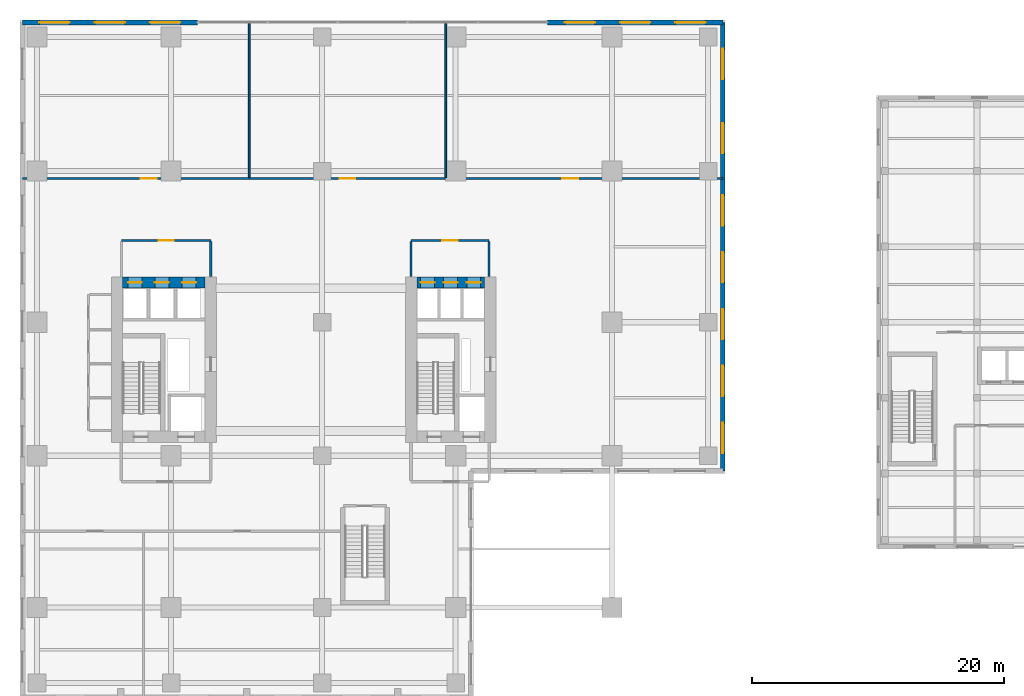
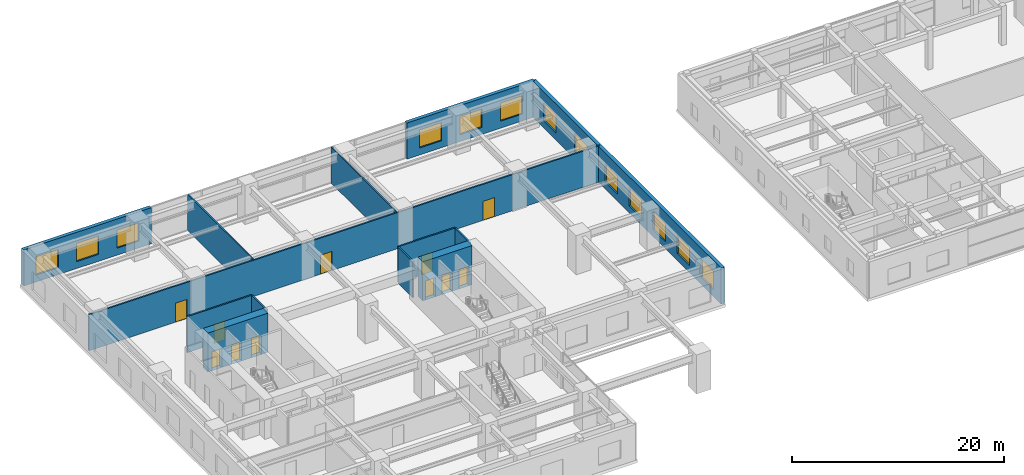
# One storey, part 21 of 26: 13 walls, 13 windows, 11 doors, 24 openings.
"""IFC4 building model written with IfcOpenShell, lengths in metres."""

from ifc_helpers import new_model, si_unit, direction, frame, frame_2d, origin, place, context, subcontext, project, spatial, rectangle, extrude, source, transform, mapped, material, layer, layer_set, type_object, element, fill, save


model = new_model("IFC4")

# Units and contexts
model_context = context("Model", 3, precision=1e-05, world=origin(), true_north=direction((0.0, 1.0)))
body_context = subcontext(model_context, "Body", "Model", "MODEL_VIEW")
ifc_project = project(units=[si_unit("LENGTHUNIT", "METRE"), si_unit("AREAUNIT", "SQUARE_METRE"), si_unit("VOLUMEUNIT", "CUBIC_METRE"), si_unit("PLANEANGLEUNIT", "RADIAN"), si_unit("MASSUNIT", "GRAM", prefix="KILO")], contexts=[model_context])

# Site, building, storey
site_placement = place(None, origin())
site = spatial("IfcSite", under=ifc_project, at=site_placement, CompositionType="ELEMENT")
building_placement = place(site_placement, origin())
building = spatial("IfcBuilding", under=site, at=building_placement, Name="Khoralis Quay Care Tower", CompositionType="ELEMENT")
storey_placement = place(building_placement, frame((0.0, 0.0, 13.5)))
storey = spatial("IfcBuildingStorey", under=building, at=storey_placement, Name="L03", CompositionType="ELEMENT", Elevation=13.5)

# Wall, openings, doors
ifc_material_1 = material(Name="Concrete C80/95", Category="concrete")
ifc_layer_1 = layer(ifc_material_1, 0.89990234375)
ifc_layer_set_1 = layer_set([ifc_layer_1], Name="Concrete C80/95")
wall_type_1 = type_object("IfcWallType", Name="WL-CORE-900", PredefinedType="SHEAR", material=ifc_layer_set_1)
wall_1_placement = place(storey_placement, frame((8.14990234375, 27.14990234375, 0.0), z_axis=(0.0, 0.0, 1.0), x_axis=(1.0, 0.0, 0.0)))
wall_1 = element("IfcWall", 1, at=wall_1_placement, inside=storey, type_object=wall_type_1, Name="L03 WCORE North Shear Wall", PredefinedType="SHEAR", context=body_context, shape_type="SweptSolid", body=[
    extrude(rectangle(XDim=6.550048828125, YDim=0.89990234375, at=frame_2d((3.27490234375, 0.0))), origin(), (0.0, 0.0, 1.0), 4.5),
])
opening_1_placement = place(wall_1_placement, frame((0.429931640625, 0.0, 0.0)))
opening_1 = element("IfcOpeningElement", 2, at=opening_1_placement, cuts=wall_1, Name="Opening LD1", PredefinedType="OPENING", context=body_context, shape_type="SweptSolid", body=[
    extrude(rectangle(XDim=1.10009765625, YDim=2.199951171875, at=frame_2d((0.550048828125, 1.10009765625))), frame((0.0, 0.4599609375, 0.0), z_axis=(0.0, -1.0, 0.0), x_axis=(1.0, 0.0, 0.0)), (0.0, 0.0, 1.0), 0.919921875),
])
opening_2_placement = place(wall_1_placement, frame((2.570068359375, 0.0, 0.0)))
opening_2 = element("IfcOpeningElement", 3, at=opening_2_placement, cuts=wall_1, Name="Opening LD1", PredefinedType="OPENING", context=body_context, shape_type="SweptSolid", body=[
    extrude(rectangle(XDim=1.10009765625, YDim=2.199951171875, at=frame_2d((0.550048828125, 1.10009765625))), frame((0.0, 0.4599609375, 0.0), z_axis=(0.0, -1.0, 0.0), x_axis=(1.0, 0.0, 0.0)), (0.0, 0.0, 1.0), 0.919921875),
])
opening_3_placement = place(wall_1_placement, frame((4.72998046875, 0.0, 0.0)))
opening_3 = element("IfcOpeningElement", 4, at=opening_3_placement, cuts=wall_1, Name="Opening LD1", PredefinedType="OPENING", context=body_context, shape_type="SweptSolid", body=[
    extrude(rectangle(XDim=1.10009765625, YDim=2.199951171875, at=frame_2d((0.550048828125, 1.10009765625))), frame((0.0, 0.4599609375, 0.0), z_axis=(0.0, -1.0, 0.0), x_axis=(1.0, 0.0, 0.0)), (0.0, 0.0, 1.0), 0.919921875),
])
ifc_material_2 = material(Name="Brushed stainless steel", Category="steel")
door_type_1 = type_object("IfcDoorType", Name="DR-LIFT-1100X2200", OperationType="SLIDING_TO_LEFT", PredefinedType="DOOR", material=ifc_material_2)
shared_shape_1 = source(origin(), body_context, "Body", "SweptSolid", [
    extrude(rectangle(XDim=1.10009765625, YDim=2.199951171875, at=frame_2d((0.550048828125, 1.10009765625))), frame((0.0, 0.02490234375, 0.0), z_axis=(0.0, -1.0, 0.0), x_axis=(1.0, 0.0, 0.0)), (0.0, 0.0, 1.0), 0.050048828125),
])
door_1_placement = place(opening_1_placement, origin())
door_1 = element("IfcDoor", 5, at=door_1_placement, inside=storey, type_object=door_type_1, Name="L03 Lift PLL1 Landing Door", OperationType="SLIDING_TO_LEFT", OverallHeight=2.199951171875, OverallWidth=1.10009765625, PredefinedType="DOOR", context=body_context, shape_type="MappedRepresentation", body=[
    mapped(shared_shape_1, transform((0.0, 0.0, 0.0), scale=1.0)),
])
fill(opening_1, door_1)
door_2_placement = place(opening_2_placement, origin())
door_2 = element("IfcDoor", 6, at=door_2_placement, inside=storey, type_object=door_type_1, Name="L03 Lift PLM1 Landing Door", OperationType="SLIDING_TO_LEFT", OverallHeight=2.199951171875, OverallWidth=1.10009765625, PredefinedType="DOOR", context=body_context, shape_type="MappedRepresentation", body=[
    mapped(shared_shape_1, transform((0.0, 0.0, 0.0), scale=1.0)),
])
fill(opening_2, door_2)
door_3_placement = place(opening_3_placement, origin())
door_3 = element("IfcDoor", 7, at=door_3_placement, inside=storey, type_object=door_type_1, Name="L03 Lift PLH1 Landing Door", OperationType="SLIDING_TO_LEFT", OverallHeight=2.199951171875, OverallWidth=1.10009765625, PredefinedType="DOOR", context=body_context, shape_type="MappedRepresentation", body=[
    mapped(shared_shape_1, transform((0.0, 0.0, 0.0), scale=1.0)),
])
fill(opening_3, door_3)

wall_2_placement = place(storey_placement, frame((31.52001953125, 27.14990234375, 0.0), z_axis=(0.0, 0.0, 1.0), x_axis=(1.0, 0.0, 0.0)))
wall_2 = element("IfcWall", 8, at=wall_2_placement, inside=storey, type_object=wall_type_1, Name="L03 ECORE North Shear Wall", PredefinedType="SHEAR", context=body_context, shape_type="SweptSolid", body=[
    extrude(rectangle(XDim=5.3798828125, YDim=0.89990234375, at=frame_2d((2.68994140625, 0.0))), origin(), (0.0, 0.0, 1.0), 4.5),
])
opening_4_placement = place(wall_2_placement, frame((0.300048828125, 0.0, 0.0)))
opening_4 = element("IfcOpeningElement", 9, at=opening_4_placement, cuts=wall_2, Name="Opening LD1", PredefinedType="OPENING", context=body_context, shape_type="SweptSolid", body=[
    extrude(rectangle(XDim=1.10009765625, YDim=2.199951171875, at=frame_2d((0.550048828125, 1.10009765625))), frame((0.0, 0.4599609375, 0.0), z_axis=(0.0, -1.0, 0.0), x_axis=(1.0, 0.0, 0.0)), (0.0, 0.0, 1.0), 0.919921875),
])
opening_5_placement = place(wall_2_placement, frame((2.1298828125, 0.0, 0.0)))
opening_5 = element("IfcOpeningElement", 10, at=opening_5_placement, cuts=wall_2, Name="Opening LD1", PredefinedType="OPENING", context=body_context, shape_type="SweptSolid", body=[
    extrude(rectangle(XDim=1.10009765625, YDim=2.199951171875, at=frame_2d((0.550048828125, 1.10009765625))), frame((0.0, 0.4599609375, 0.0), z_axis=(0.0, -1.0, 0.0), x_axis=(1.0, 0.0, 0.0)), (0.0, 0.0, 1.0), 0.919921875),
])
opening_6_placement = place(wall_2_placement, frame((3.9599609375, 0.0, 0.0)))
opening_6 = element("IfcOpeningElement", 11, at=opening_6_placement, cuts=wall_2, Name="Opening LD1", PredefinedType="OPENING", context=body_context, shape_type="SweptSolid", body=[
    extrude(rectangle(XDim=1.10009765625, YDim=2.199951171875, at=frame_2d((0.550048828125, 1.10009765625))), frame((0.0, 0.4599609375, 0.0), z_axis=(0.0, -1.0, 0.0), x_axis=(1.0, 0.0, 0.0)), (0.0, 0.0, 1.0), 0.919921875),
])
door_4_placement = place(opening_4_placement, origin())
door_4 = element("IfcDoor", 12, at=door_4_placement, inside=storey, type_object=door_type_1, Name="L03 Lift PLL2 Landing Door", OperationType="SLIDING_TO_LEFT", OverallHeight=2.199951171875, OverallWidth=1.10009765625, PredefinedType="DOOR", context=body_context, shape_type="MappedRepresentation", body=[
    mapped(shared_shape_1, transform((0.0, 0.0, 0.0), scale=1.0)),
])
fill(opening_4, door_4)
door_5_placement = place(opening_5_placement, origin())
door_5 = element("IfcDoor", 13, at=door_5_placement, inside=storey, type_object=door_type_1, Name="L03 Lift PLM2 Landing Door", OperationType="SLIDING_TO_LEFT", OverallHeight=2.199951171875, OverallWidth=1.10009765625, PredefinedType="DOOR", context=body_context, shape_type="MappedRepresentation", body=[
    mapped(shared_shape_1, transform((0.0, 0.0, 0.0), scale=1.0)),
])
fill(opening_5, door_5)
door_6_placement = place(opening_6_placement, origin())
door_6 = element("IfcDoor", 14, at=door_6_placement, inside=storey, type_object=door_type_1, Name="L03 Lift PLH2 Landing Door", OperationType="SLIDING_TO_LEFT", OverallHeight=2.199951171875, OverallWidth=1.10009765625, PredefinedType="DOOR", context=body_context, shape_type="MappedRepresentation", body=[
    mapped(shared_shape_1, transform((0.0, 0.0, 0.0), scale=1.0)),
])
fill(opening_6, door_6)

# Wall, opening, door
ifc_material_3 = material(Name="Gypsum plasterboard on acoustic metal stud")
ifc_layer_2 = layer(ifc_material_3, 0.1650390625)
ifc_layer_set_2 = layer_set([ifc_layer_2], Name="Gypsum plasterboard on acoustic metal stud")
wall_type_2 = type_object("IfcWallType", Name="WL-CORR-165", PredefinedType="PARTITIONING", material=ifc_layer_set_2)
wall_3_placement = place(storey_placement, frame((8.050048828125, 30.5, 0.0), z_axis=(0.0, 0.0, 1.0), x_axis=(1.0, 0.0, 0.0)))
wall_3 = element("IfcWall", 15, at=wall_3_placement, inside=storey, type_object=wall_type_2, Name="L03 West Lift Lobby North Wall", PredefinedType="PARTITIONING", context=body_context, shape_type="SweptSolid", body=[
    extrude(rectangle(XDim=7.099853515625, YDim=0.1650390625, at=frame_2d((3.5498046875, 0.0))), origin(), (0.0, 0.0, 1.0), 4.159912109375),
])
opening_7_placement = place(wall_3_placement, frame((2.949951171875, 0.0, 0.0)))
opening_7 = element("IfcOpeningElement", 16, at=opening_7_placement, cuts=wall_3, Name="Opening FD1", PredefinedType="OPENING", context=body_context, shape_type="SweptSolid", body=[
    extrude(rectangle(XDim=1.199951171875, YDim=2.199951171875, at=frame_2d((0.60009765625, 1.10009765625))), frame((0.0, 0.092529296875, 0.0), z_axis=(0.0, -1.0, 0.0), x_axis=(1.0, 0.0, 0.0)), (0.0, 0.0, 1.0), 0.18505859375),
])
ifc_material_4 = material(Name="Fire-rated painted steel", Category="steel")
door_type_2 = type_object("IfcDoorType", Name="DR-FFL-1200X2200", OperationType="NOTDEFINED", PredefinedType="DOOR", material=ifc_material_4)
shared_shape_2 = source(origin(), body_context, "Body", "SweptSolid", [
    extrude(rectangle(XDim=1.199951171875, YDim=2.199951171875, at=frame_2d((0.60009765625, 1.10009765625))), frame((0.0, 0.02490234375, 0.0), z_axis=(0.0, -1.0, 0.0), x_axis=(1.0, 0.0, 0.0)), (0.0, 0.0, 1.0), 0.050048828125),
])
door_7_placement = place(opening_7_placement, origin())
door_7 = element("IfcDoor", 17, at=door_7_placement, inside=storey, type_object=door_type_2, Name="L03 West Lift Lobby Double Door", OperationType="DOUBLE_DOOR_SINGLE_SWING", OverallHeight=2.199951171875, OverallWidth=1.199951171875, PredefinedType="DOOR", context=body_context, shape_type="MappedRepresentation", body=[
    mapped(shared_shape_2, transform((0.0, 0.0, 0.0), scale=1.0)),
])
fill(opening_7, door_7)

# Wall
wall_4_placement = place(storey_placement, frame((15.14990234375, 27.6201171875, 0.0), z_axis=(0.0, 0.0, 1.0), x_axis=(0.0, 1.0, 0.0)))
element("IfcWall", 18, at=wall_4_placement, inside=storey, type_object=wall_type_2, Name="L03 West Lift Lobby East Wall", PredefinedType="PARTITIONING", context=body_context, shape_type="SweptSolid", body=[
    extrude(rectangle(XDim=2.802490234375, YDim=0.1650390625, at=frame_2d((1.4013671875, 0.0))), origin(), (0.0, 0.0, 1.0), 4.159912109375),
])

# Wall, opening, door
wall_5_placement = place(storey_placement, frame((31.050048828125, 30.5, 0.0), z_axis=(0.0, 0.0, 1.0), x_axis=(1.0, 0.0, 0.0)))
wall_5 = element("IfcWall", 19, at=wall_5_placement, inside=storey, type_object=wall_type_2, Name="L03 East Lift Lobby North Wall", PredefinedType="PARTITIONING", context=body_context, shape_type="SweptSolid", body=[
    extrude(rectangle(XDim=6.199951171875, YDim=0.1650390625, at=frame_2d((3.10009765625, 0.0))), origin(), (0.0, 0.0, 1.0), 4.159912109375),
])
opening_8_placement = place(wall_5_placement, frame((2.5, 0.0, 0.0)))
opening_8 = element("IfcOpeningElement", 20, at=opening_8_placement, cuts=wall_5, Name="Opening FD1", PredefinedType="OPENING", context=body_context, shape_type="SweptSolid", body=[
    extrude(rectangle(XDim=1.199951171875, YDim=2.199951171875, at=frame_2d((0.60009765625, 1.10009765625))), frame((0.0, 0.092529296875, 0.0), z_axis=(0.0, -1.0, 0.0), x_axis=(1.0, 0.0, 0.0)), (0.0, 0.0, 1.0), 0.18505859375),
])
door_8_placement = place(opening_8_placement, origin())
door_8 = element("IfcDoor", 21, at=door_8_placement, inside=storey, type_object=door_type_2, Name="L03 East Lift Lobby Double Door", OperationType="DOUBLE_DOOR_SINGLE_SWING", OverallHeight=2.199951171875, OverallWidth=1.199951171875, PredefinedType="DOOR", context=body_context, shape_type="MappedRepresentation", body=[
    mapped(shared_shape_2, transform((0.0, 0.0, 0.0), scale=1.0)),
])
fill(opening_8, door_8)

# Walls
for number, where, z_axis, x_axis, name in (
    (22, (31.050048828125, 27.6201171875, 0.0), (0.0, 0.0, 1.0), (0.0, 1.0, 0.0), "L03 East Lift Lobby West Wall"),
    (23, (37.25, 27.6201171875, 0.0), (0.0, 0.0, 1.0), (0.0, 1.0, 0.0), "L03 East Lift Lobby East Wall"),
):
    element("IfcWall", number, at=place(storey_placement, frame(where, z_axis=z_axis, x_axis=x_axis)), inside=storey, type_object=wall_type_2, Name=name, PredefinedType="PARTITIONING", context=body_context, shape_type="SweptSolid", body=[
        extrude(rectangle(XDim=2.802490234375, YDim=0.1650390625, at=frame_2d((1.4013671875, 0.0))), origin(), (0.0, 0.0, 1.0), 4.159912109375),
    ])

# Wall, openings, doors
wall_6_placement = place(storey_placement, frame((0.18505859375, 35.39990234375, 0.0), z_axis=(0.0, 0.0, 1.0), x_axis=(1.0, 0.0, 0.0)))
wall_6 = element("IfcWall", 24, at=wall_6_placement, inside=storey, type_object=wall_type_2, Name="L03 Podium North Concourse Wall", PredefinedType="PARTITIONING", context=body_context, shape_type="SweptSolid", body=[
    extrude(rectangle(XDim=55.6298828125, YDim=0.1650390625, at=frame_2d((27.81494140625, 0.0))), origin(), (0.0, 0.0, 1.0), 4.159912109375),
])
opening_9_placement = place(wall_6_placement, frame((9.4150390625, 0.0, 0.0)))
opening_9 = element("IfcOpeningElement", 25, at=opening_9_placement, cuts=wall_6, Name="Opening CD1", PredefinedType="OPENING", context=body_context, shape_type="SweptSolid", body=[
    extrude(rectangle(XDim=1.25, YDim=2.199951171875, at=frame_2d((0.625, 1.10009765625))), frame((0.0, 0.092529296875, 0.0), z_axis=(0.0, -1.0, 0.0), x_axis=(1.0, 0.0, 0.0)), (0.0, 0.0, 1.0), 0.18505859375),
])
opening_10_placement = place(wall_6_placement, frame((25.18994140625, 0.0, 0.0)))
opening_10 = element("IfcOpeningElement", 26, at=opening_10_placement, cuts=wall_6, Name="Opening CD1", PredefinedType="OPENING", context=body_context, shape_type="SweptSolid", body=[
    extrude(rectangle(XDim=1.25, YDim=2.199951171875, at=frame_2d((0.625, 1.10009765625))), frame((0.0, 0.092529296875, 0.0), z_axis=(0.0, -1.0, 0.0), x_axis=(1.0, 0.0, 0.0)), (0.0, 0.0, 1.0), 0.18505859375),
])
opening_11_placement = place(wall_6_placement, frame((42.889892578125, 0.0, 0.0)))
opening_11 = element("IfcOpeningElement", 27, at=opening_11_placement, cuts=wall_6, Name="Opening CD1", PredefinedType="OPENING", context=body_context, shape_type="SweptSolid", body=[
    extrude(rectangle(XDim=1.25, YDim=2.199951171875, at=frame_2d((0.625, 1.10009765625))), frame((0.0, 0.092529296875, 0.0), z_axis=(0.0, -1.0, 0.0), x_axis=(1.0, 0.0, 0.0)), (0.0, 0.0, 1.0), 0.18505859375),
])
ifc_material_5 = material(Name="Acoustic hardwood timber", Category="wood")
door_type_3 = type_object("IfcDoorType", Name="DR-CARE-1250X2200", OperationType="NOTDEFINED", PredefinedType="DOOR", material=ifc_material_5)
shared_shape_3 = source(origin(), body_context, "Body", "SweptSolid", [
    extrude(rectangle(XDim=1.25, YDim=2.199951171875, at=frame_2d((0.625, 1.10009765625))), frame((0.0, 0.02490234375, 0.0), z_axis=(0.0, -1.0, 0.0), x_axis=(1.0, 0.0, 0.0)), (0.0, 0.0, 1.0), 0.050048828125),
])
door_9_placement = place(opening_9_placement, origin())
door_9 = element("IfcDoor", 28, at=door_9_placement, inside=storey, type_object=door_type_3, Name="L03 Resident Banquet Dining Room Door", OperationType="DOUBLE_DOOR_SINGLE_SWING", OverallHeight=2.199951171875, OverallWidth=1.25, PredefinedType="DOOR", context=body_context, shape_type="MappedRepresentation", body=[
    mapped(shared_shape_3, transform((0.0, 0.0, 0.0), scale=1.0)),
])
fill(opening_9, door_9)
door_10_placement = place(opening_10_placement, origin())
door_10 = element("IfcDoor", 29, at=door_10_placement, inside=storey, type_object=door_type_3, Name="L03 Commercial Catering Kitchen Door", OperationType="DOUBLE_DOOR_SINGLE_SWING", OverallHeight=2.199951171875, OverallWidth=1.25, PredefinedType="DOOR", context=body_context, shape_type="MappedRepresentation", body=[
    mapped(shared_shape_3, transform((0.0, 0.0, 0.0), scale=1.0)),
])
fill(opening_10, door_10)
door_11_placement = place(opening_11_placement, origin())
door_11 = element("IfcDoor", 30, at=door_11_placement, inside=storey, type_object=door_type_3, Name="L03 Intergenerational Library Door", OperationType="DOUBLE_DOOR_SINGLE_SWING", OverallHeight=2.199951171875, OverallWidth=1.25, PredefinedType="DOOR", context=body_context, shape_type="MappedRepresentation", body=[
    mapped(shared_shape_3, transform((0.0, 0.0, 0.0), scale=1.0)),
])
fill(opening_11, door_11)

# Wall, openings, windows
ifc_material_6 = material(Name="Precast concrete C45/55", Category="concrete")
ifc_layer_3 = layer(ifc_material_6, 0.3798828125)
ifc_layer_set_3 = layer_set([ifc_layer_3], Name="Precast concrete C45/55")
wall_type_3 = type_object("IfcWallType", Name="WL-EXT-POD-380", PredefinedType="SOLIDWALL", material=ifc_layer_set_3)
wall_7_placement = place(storey_placement, frame((55.81005859375, 12.18994140625, 0.0), z_axis=(0.0, 0.0, 1.0), x_axis=(0.0, 1.0, 0.0)))
wall_7 = element("IfcWall", 31, at=wall_7_placement, inside=storey, type_object=wall_type_3, Name="L03 External Facade Wall WL-POD-L03-E3", PredefinedType="SOLIDWALL", context=body_context, shape_type="SweptSolid", body=[
    extrude(rectangle(XDim=35.6201171875, YDim=0.3798828125, at=frame_2d((17.81005859375, 0.0))), origin(), (0.0, 0.0, 1.0), 4.159912109375),
])
opening_12_placement = place(wall_7_placement, frame((1.4189453125, 0.0, 0.800048828125)))
opening_12 = element("IfcOpeningElement", 32, at=opening_12_placement, cuts=wall_7, Name="Opening W1", PredefinedType="OPENING", context=body_context, shape_type="SweptSolid", body=[
    extrude(rectangle(XDim=2.39990234375, YDim=2.10009765625, at=frame_2d((1.199951171875, 1.050048828125))), frame((0.0, 0.199951171875, 0.0), z_axis=(0.0, -1.0, 0.0), x_axis=(1.0, 0.0, 0.0)), (0.0, 0.0, 1.0), 0.39990234375),
])
opening_13_placement = place(wall_7_placement, frame((5.93701171875, 0.0, 0.800048828125)))
opening_13 = element("IfcOpeningElement", 33, at=opening_13_placement, cuts=wall_7, Name="Opening W1", PredefinedType="OPENING", context=body_context, shape_type="SweptSolid", body=[
    extrude(rectangle(XDim=2.39990234375, YDim=2.10009765625, at=frame_2d((1.199951171875, 1.050048828125))), frame((0.0, 0.199951171875, 0.0), z_axis=(0.0, -1.0, 0.0), x_axis=(1.0, 0.0, 0.0)), (0.0, 0.0, 1.0), 0.39990234375),
])
opening_14_placement = place(wall_7_placement, frame((10.455078125, 0.0, 0.800048828125)))
opening_14 = element("IfcOpeningElement", 34, at=opening_14_placement, cuts=wall_7, Name="Opening W1", PredefinedType="OPENING", context=body_context, shape_type="SweptSolid", body=[
    extrude(rectangle(XDim=2.39990234375, YDim=2.10009765625, at=frame_2d((1.199951171875, 1.050048828125))), frame((0.0, 0.199951171875, 0.0), z_axis=(0.0, -1.0, 0.0), x_axis=(1.0, 0.0, 0.0)), (0.0, 0.0, 1.0), 0.39990234375),
])
opening_15_placement = place(wall_7_placement, frame((14.972900390625, 0.0, 0.800048828125)))
opening_15 = element("IfcOpeningElement", 35, at=opening_15_placement, cuts=wall_7, Name="Opening W1", PredefinedType="OPENING", context=body_context, shape_type="SweptSolid", body=[
    extrude(rectangle(XDim=2.39990234375, YDim=2.10009765625, at=frame_2d((1.199951171875, 1.050048828125))), frame((0.0, 0.199951171875, 0.0), z_axis=(0.0, -1.0, 0.0), x_axis=(1.0, 0.0, 0.0)), (0.0, 0.0, 1.0), 0.39990234375),
])
opening_16_placement = place(wall_7_placement, frame((19.490966796875, 0.0, 0.800048828125)))
opening_16 = element("IfcOpeningElement", 36, at=opening_16_placement, cuts=wall_7, Name="Opening W1", PredefinedType="OPENING", context=body_context, shape_type="SweptSolid", body=[
    extrude(rectangle(XDim=2.39990234375, YDim=2.10009765625, at=frame_2d((1.199951171875, 1.050048828125))), frame((0.0, 0.199951171875, 0.0), z_axis=(0.0, -1.0, 0.0), x_axis=(1.0, 0.0, 0.0)), (0.0, 0.0, 1.0), 0.39990234375),
])
opening_17_placement = place(wall_7_placement, frame((25.217529296875, 0.0, 0.800048828125)))
opening_17 = element("IfcOpeningElement", 37, at=opening_17_placement, cuts=wall_7, Name="Opening W1", PredefinedType="OPENING", context=body_context, shape_type="SweptSolid", body=[
    extrude(rectangle(XDim=2.39990234375, YDim=2.10009765625, at=frame_2d((1.199951171875, 1.050048828125))), frame((0.0, 0.199951171875, 0.0), z_axis=(0.0, -1.0, 0.0), x_axis=(1.0, 0.0, 0.0)), (0.0, 0.0, 1.0), 0.39990234375),
])
opening_18_placement = place(wall_7_placement, frame((31.112548828125, 0.0, 0.800048828125)))
opening_18 = element("IfcOpeningElement", 38, at=opening_18_placement, cuts=wall_7, Name="Opening W1", PredefinedType="OPENING", context=body_context, shape_type="SweptSolid", body=[
    extrude(rectangle(XDim=2.39990234375, YDim=2.10009765625, at=frame_2d((1.199951171875, 1.050048828125))), frame((0.0, 0.199951171875, 0.0), z_axis=(0.0, -1.0, 0.0), x_axis=(1.0, 0.0, 0.0)), (0.0, 0.0, 1.0), 0.39990234375),
])
ifc_material_7 = material(Name="Low-E solar-control double glazing", Category="glass")
window_type = type_object("IfcWindowType", Name="WN-POD-2400X2100", PartitioningType="SINGLE_PANEL", PredefinedType="WINDOW", material=ifc_material_7)
shared_shape_4 = source(origin(), body_context, "Body", "SweptSolid", [
    extrude(rectangle(XDim=2.39990234375, YDim=2.10009765625, at=frame_2d((1.199951171875, 1.050048828125))), frame((0.0, 0.030029296875, 0.0), z_axis=(0.0, -1.0, 0.0), x_axis=(1.0, 0.0, 0.0)), (0.0, 0.0, 1.0), 0.06005859375),
])
window_1_placement = place(opening_12_placement, origin())
window_1 = element("IfcWindow", 39, at=window_1_placement, inside=storey, type_object=window_type, Name="WN-POD-L03-E3 Facade Window 01", OverallHeight=2.10009765625, OverallWidth=2.39990234375, PartitioningType="SINGLE_PANEL", PredefinedType="WINDOW", context=body_context, shape_type="MappedRepresentation", body=[
    mapped(shared_shape_4, transform((0.0, 0.0, 0.0), scale=1.0)),
])
fill(opening_12, window_1)
window_2_placement = place(opening_13_placement, origin())
window_2 = element("IfcWindow", 40, at=window_2_placement, inside=storey, type_object=window_type, Name="WN-POD-L03-E3 Facade Window 02", OverallHeight=2.10009765625, OverallWidth=2.39990234375, PartitioningType="SINGLE_PANEL", PredefinedType="WINDOW", context=body_context, shape_type="MappedRepresentation", body=[
    mapped(shared_shape_4, transform((0.0, 0.0, 0.0), scale=1.0)),
])
fill(opening_13, window_2)
window_3_placement = place(opening_14_placement, origin())
window_3 = element("IfcWindow", 41, at=window_3_placement, inside=storey, type_object=window_type, Name="WN-POD-L03-E3 Facade Window 03", OverallHeight=2.10009765625, OverallWidth=2.39990234375, PartitioningType="SINGLE_PANEL", PredefinedType="WINDOW", context=body_context, shape_type="MappedRepresentation", body=[
    mapped(shared_shape_4, transform((0.0, 0.0, 0.0), scale=1.0)),
])
fill(opening_14, window_3)
window_4_placement = place(opening_15_placement, origin())
window_4 = element("IfcWindow", 42, at=window_4_placement, inside=storey, type_object=window_type, Name="WN-POD-L03-E3 Facade Window 04", OverallHeight=2.10009765625, OverallWidth=2.39990234375, PartitioningType="SINGLE_PANEL", PredefinedType="WINDOW", context=body_context, shape_type="MappedRepresentation", body=[
    mapped(shared_shape_4, transform((0.0, 0.0, 0.0), scale=1.0)),
])
fill(opening_15, window_4)
window_5_placement = place(opening_16_placement, origin())
window_5 = element("IfcWindow", 43, at=window_5_placement, inside=storey, type_object=window_type, Name="WN-POD-L03-E3 Facade Window 05", OverallHeight=2.10009765625, OverallWidth=2.39990234375, PartitioningType="SINGLE_PANEL", PredefinedType="WINDOW", context=body_context, shape_type="MappedRepresentation", body=[
    mapped(shared_shape_4, transform((0.0, 0.0, 0.0), scale=1.0)),
])
fill(opening_16, window_5)
window_6_placement = place(opening_17_placement, origin())
window_6 = element("IfcWindow", 44, at=window_6_placement, inside=storey, type_object=window_type, Name="WN-POD-L03-E3 Facade Window 06", OverallHeight=2.10009765625, OverallWidth=2.39990234375, PartitioningType="SINGLE_PANEL", PredefinedType="WINDOW", context=body_context, shape_type="MappedRepresentation", body=[
    mapped(shared_shape_4, transform((0.0, 0.0, 0.0), scale=1.0)),
])
fill(opening_17, window_6)
window_7_placement = place(opening_18_placement, origin())
window_7 = element("IfcWindow", 45, at=window_7_placement, inside=storey, type_object=window_type, Name="WN-POD-L03-E3 Facade Window 07", OverallHeight=2.10009765625, OverallWidth=2.39990234375, PartitioningType="SINGLE_PANEL", PredefinedType="WINDOW", context=body_context, shape_type="MappedRepresentation", body=[
    mapped(shared_shape_4, transform((0.0, 0.0, 0.0), scale=1.0)),
])
fill(opening_18, window_7)

wall_8_placement = place(storey_placement, frame((55.81005859375, 47.81005859375, 0.0), z_axis=(0.0, 0.0, 1.0), x_axis=(-1.0, 0.0, 0.0)))
wall_8 = element("IfcWall", 46, at=wall_8_placement, inside=storey, type_object=wall_type_3, Name="L03 External Facade Wall WL-POD-L03-E4A", PredefinedType="SOLIDWALL", context=body_context, shape_type="SweptSolid", body=[
    extrude(rectangle(XDim=13.905029296875, YDim=0.3798828125, at=frame_2d((6.95263671875, 0.0))), origin(), (0.0, 0.0, 1.0), 4.159912109375),
])
opening_19_placement = place(wall_8_placement, frame((1.357421875, 0.0, 0.800048828125)))
opening_19 = element("IfcOpeningElement", 47, at=opening_19_placement, cuts=wall_8, Name="Opening W1", PredefinedType="OPENING", context=body_context, shape_type="SweptSolid", body=[
    extrude(rectangle(XDim=2.39990234375, YDim=2.10009765625, at=frame_2d((1.199951171875, 1.050048828125))), frame((0.0, 0.199951171875, 0.0), z_axis=(0.0, -1.0, 0.0), x_axis=(1.0, 0.0, 0.0)), (0.0, 0.0, 1.0), 0.39990234375),
])
opening_20_placement = place(wall_8_placement, frame((5.75244140625, 0.0, 0.800048828125)))
opening_20 = element("IfcOpeningElement", 48, at=opening_20_placement, cuts=wall_8, Name="Opening W1", PredefinedType="OPENING", context=body_context, shape_type="SweptSolid", body=[
    extrude(rectangle(XDim=2.39990234375, YDim=2.10009765625, at=frame_2d((1.199951171875, 1.050048828125))), frame((0.0, 0.199951171875, 0.0), z_axis=(0.0, -1.0, 0.0), x_axis=(1.0, 0.0, 0.0)), (0.0, 0.0, 1.0), 0.39990234375),
])
opening_21_placement = place(wall_8_placement, frame((10.1474609375, 0.0, 0.800048828125)))
opening_21 = element("IfcOpeningElement", 49, at=opening_21_placement, cuts=wall_8, Name="Opening W1", PredefinedType="OPENING", context=body_context, shape_type="SweptSolid", body=[
    extrude(rectangle(XDim=2.39990234375, YDim=2.10009765625, at=frame_2d((1.199951171875, 1.050048828125))), frame((0.0, 0.199951171875, 0.0), z_axis=(0.0, -1.0, 0.0), x_axis=(1.0, 0.0, 0.0)), (0.0, 0.0, 1.0), 0.39990234375),
])
window_8_placement = place(opening_19_placement, origin())
window_8 = element("IfcWindow", 50, at=window_8_placement, inside=storey, type_object=window_type, Name="WN-POD-L03-4A Facade Window 01", OverallHeight=2.10009765625, OverallWidth=2.39990234375, PartitioningType="SINGLE_PANEL", PredefinedType="WINDOW", context=body_context, shape_type="MappedRepresentation", body=[
    mapped(shared_shape_4, transform((0.0, 0.0, 0.0), scale=1.0)),
])
fill(opening_19, window_8)
window_9_placement = place(opening_20_placement, origin())
window_9 = element("IfcWindow", 51, at=window_9_placement, inside=storey, type_object=window_type, Name="WN-POD-L03-4A Facade Window 02", OverallHeight=2.10009765625, OverallWidth=2.39990234375, PartitioningType="SINGLE_PANEL", PredefinedType="WINDOW", context=body_context, shape_type="MappedRepresentation", body=[
    mapped(shared_shape_4, transform((0.0, 0.0, 0.0), scale=1.0)),
])
fill(opening_20, window_9)
window_10_placement = place(opening_21_placement, origin())
window_10 = element("IfcWindow", 52, at=window_10_placement, inside=storey, type_object=window_type, Name="WN-POD-L03-4A Facade Window 03", OverallHeight=2.10009765625, OverallWidth=2.39990234375, PartitioningType="SINGLE_PANEL", PredefinedType="WINDOW", context=body_context, shape_type="MappedRepresentation", body=[
    mapped(shared_shape_4, transform((0.0, 0.0, 0.0), scale=1.0)),
])
fill(opening_21, window_10)

wall_9_placement = place(storey_placement, frame((14.094970703125, 47.81005859375, 0.0), z_axis=(0.0, 0.0, 1.0), x_axis=(-1.0, 0.0, 0.0)))
wall_9 = element("IfcWall", 53, at=wall_9_placement, inside=storey, type_object=wall_type_3, Name="L03 External Facade Wall WL-POD-L03-E4B", PredefinedType="SOLIDWALL", context=body_context, shape_type="SweptSolid", body=[
    extrude(rectangle(XDim=13.905029296875, YDim=0.3798828125, at=frame_2d((6.95263671875, 0.0))), origin(), (0.0, 0.0, 1.0), 4.159912109375),
])
opening_22_placement = place(wall_9_placement, frame((1.357421875, 0.0, 0.800048828125)))
opening_22 = element("IfcOpeningElement", 54, at=opening_22_placement, cuts=wall_9, Name="Opening W1", PredefinedType="OPENING", context=body_context, shape_type="SweptSolid", body=[
    extrude(rectangle(XDim=2.39990234375, YDim=2.10009765625, at=frame_2d((1.199951171875, 1.050048828125))), frame((0.0, 0.199951171875, 0.0), z_axis=(0.0, -1.0, 0.0), x_axis=(1.0, 0.0, 0.0)), (0.0, 0.0, 1.0), 0.39990234375),
])
opening_23_placement = place(wall_9_placement, frame((5.75244140625, 0.0, 0.800048828125)))
opening_23 = element("IfcOpeningElement", 55, at=opening_23_placement, cuts=wall_9, Name="Opening W1", PredefinedType="OPENING", context=body_context, shape_type="SweptSolid", body=[
    extrude(rectangle(XDim=2.39990234375, YDim=2.10009765625, at=frame_2d((1.199951171875, 1.050048828125))), frame((0.0, 0.199951171875, 0.0), z_axis=(0.0, -1.0, 0.0), x_axis=(1.0, 0.0, 0.0)), (0.0, 0.0, 1.0), 0.39990234375),
])
opening_24_placement = place(wall_9_placement, frame((10.1474609375, 0.0, 0.800048828125)))
opening_24 = element("IfcOpeningElement", 56, at=opening_24_placement, cuts=wall_9, Name="Opening W1", PredefinedType="OPENING", context=body_context, shape_type="SweptSolid", body=[
    extrude(rectangle(XDim=2.39990234375, YDim=2.10009765625, at=frame_2d((1.199951171875, 1.050048828125))), frame((0.0, 0.199951171875, 0.0), z_axis=(0.0, -1.0, 0.0), x_axis=(1.0, 0.0, 0.0)), (0.0, 0.0, 1.0), 0.39990234375),
])
window_11_placement = place(opening_22_placement, origin())
window_11 = element("IfcWindow", 57, at=window_11_placement, inside=storey, type_object=window_type, Name="WN-POD-L03-4B Facade Window 01", OverallHeight=2.10009765625, OverallWidth=2.39990234375, PartitioningType="SINGLE_PANEL", PredefinedType="WINDOW", context=body_context, shape_type="MappedRepresentation", body=[
    mapped(shared_shape_4, transform((0.0, 0.0, 0.0), scale=1.0)),
])
fill(opening_22, window_11)
window_12_placement = place(opening_23_placement, origin())
window_12 = element("IfcWindow", 58, at=window_12_placement, inside=storey, type_object=window_type, Name="WN-POD-L03-4B Facade Window 02", OverallHeight=2.10009765625, OverallWidth=2.39990234375, PartitioningType="SINGLE_PANEL", PredefinedType="WINDOW", context=body_context, shape_type="MappedRepresentation", body=[
    mapped(shared_shape_4, transform((0.0, 0.0, 0.0), scale=1.0)),
])
fill(opening_23, window_12)
window_13_placement = place(opening_24_placement, origin())
window_13 = element("IfcWindow", 59, at=window_13_placement, inside=storey, type_object=window_type, Name="WN-POD-L03-4B Facade Window 03", OverallHeight=2.10009765625, OverallWidth=2.39990234375, PartitioningType="SINGLE_PANEL", PredefinedType="WINDOW", context=body_context, shape_type="MappedRepresentation", body=[
    mapped(shared_shape_4, transform((0.0, 0.0, 0.0), scale=1.0)),
])
fill(opening_24, window_13)

# Walls
ifc_layer_4 = layer(ifc_material_3, 0.139892578125)
ifc_layer_set_4 = layer_set([ifc_layer_4], Name="Gypsum plasterboard on acoustic metal stud")
wall_type_4 = type_object("IfcWallType", Name="WL-UNIT-140", PredefinedType="PARTITIONING", material=ifc_layer_set_4)
for number, where, z_axis, x_axis, name in (
    (60, (18.199951171875, 35.4775390625, 0.0), (0.0, 0.0, 1.0), (0.0, 1.0, 0.0), "L03 Podium North Split 1"),
    (61, (33.800048828125, 35.4775390625, 0.0), (0.0, 0.0, 1.0), (0.0, 1.0, 0.0), "L03 Podium North Split 2"),
):
    element("IfcWall", number, at=place(storey_placement, frame(where, z_axis=z_axis, x_axis=x_axis)), inside=storey, type_object=wall_type_4, Name=name, PredefinedType="PARTITIONING", context=body_context, shape_type="SweptSolid", body=[
        extrude(rectangle(XDim=12.33740234375, YDim=0.139892578125, at=frame_2d((6.168701171875, 0.0))), origin(), (0.0, 0.0, 1.0), 4.159912109375),
    ])

save(model, "model.ifc")
